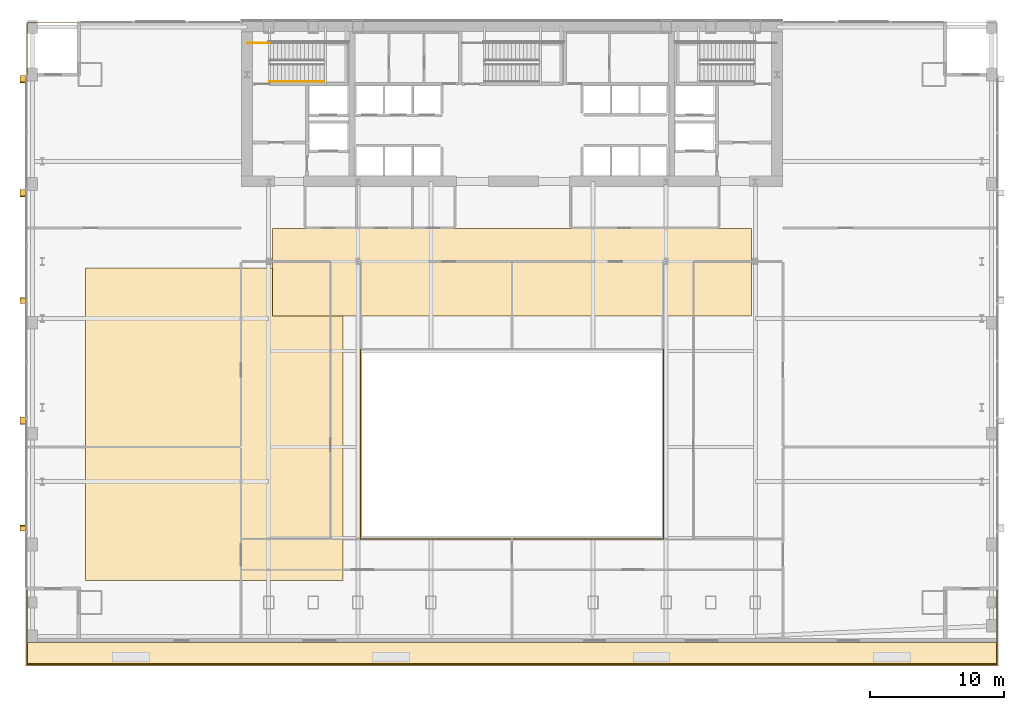
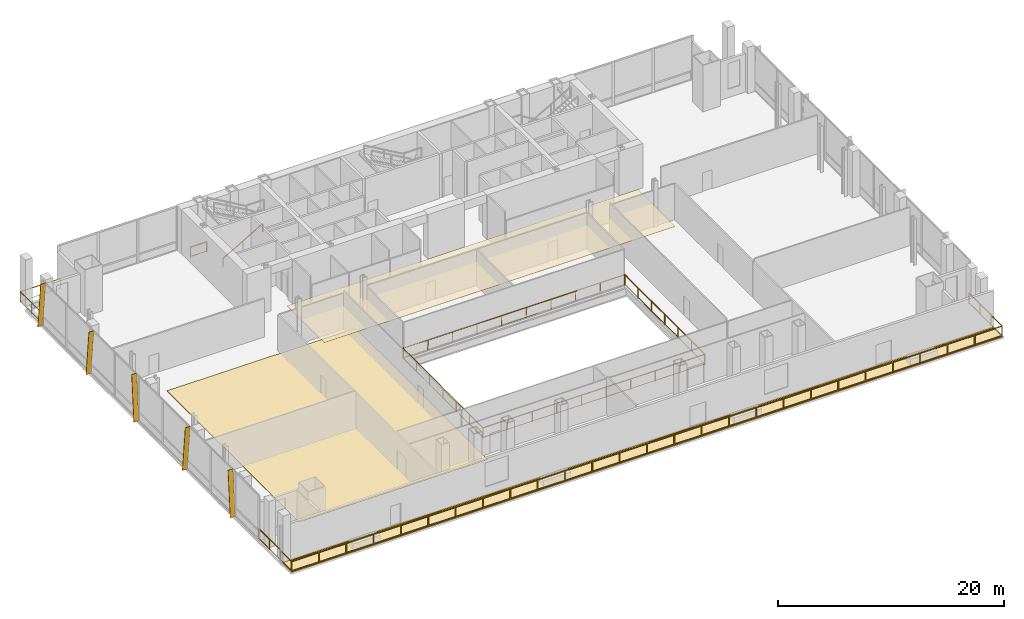
# One storey, part 23 of 25: 6 railings, 5 shading devices, 3 coverings.
"""IFC4 building model written with IfcOpenShell, lengths in metres."""

from ifc_helpers import new_model, si_unit, direction, frame, origin, origin_2d, place, context, subcontext, project, spatial, polyline, rectangle, outline, extrude, material, layer, layer_set, type_object, element, save


model = new_model("IFC4")

# Units and contexts
model_context = context("Model", 3, precision=1e-05, world=origin(), true_north=direction((0.0, 1.0)))
body_context = subcontext(model_context, "Body", "Model", "MODEL_VIEW")
ifc_project = project(units=[si_unit("LENGTHUNIT", "METRE"), si_unit("AREAUNIT", "SQUARE_METRE"), si_unit("VOLUMEUNIT", "CUBIC_METRE"), si_unit("PLANEANGLEUNIT", "RADIAN"), si_unit("MASSUNIT", "GRAM", prefix="KILO")], contexts=[model_context])

# Site, building, storey
site_placement = place(None, origin())
site = spatial("IfcSite", under=ifc_project, at=site_placement, CompositionType="ELEMENT")
building_placement = place(site_placement, origin())
building = spatial("IfcBuilding", under=site, at=building_placement, Name="Khoronbel Lancet Exchange", CompositionType="ELEMENT")
storey_placement = place(building_placement, frame((0.0, 0.0, 10.39990234375)))
storey = spatial("IfcBuildingStorey", under=building, at=storey_placement, Name="L02", CompositionType="ELEMENT", Elevation=10.39990234375)

# Coverings
ifc_material_1 = material(Name="Micro-Perforated Bronze Acoustic Metal Ceiling Tile", Category="aluminium")
ifc_layer_1 = layer(ifc_material_1, 0.0400390625, Name="Micro-Perforated Bronze Acoustic Metal Ceiling Tile")
ifc_layer_set_1 = layer_set([ifc_layer_1], Name="Micro-Perforated Bronze Acoustic Metal Ceiling Tile")
covering_type_1 = type_object("IfcCoveringType", Name="COV-CEIL1", PredefinedType="CEILING", material=ifc_layer_set_1)
covering_1_placement = place(storey_placement, frame((0.0, 0.0, 2.47998046875)))
element("IfcCovering", 1, at=covering_1_placement, inside=storey, type_object=covering_type_1, Name="Level L02 north gallery acoustic metal ceiling", PredefinedType="CEILING", context=body_context, shape_type="SweptSolid", body=[
    extrude(outline(polyline([(18.5, 31.60009765625), (54.39990234375, 31.60009765625), (54.39990234375, 38.179931640625), (18.5, 38.179931640625), (18.5, 31.60009765625)])), origin(), (0.0, 0.0, 1.0), 0.0400390625),
])
ifc_material_2 = material(Name="Honed Egyptian Galala Marble & Raised Access Floor Finish", Category="masonry")
ifc_layer_2 = layer(ifc_material_2, 0.030029296875, Name="Honed Egyptian Galala Marble & Raised Access Floor Finish")
ifc_layer_set_2 = layer_set([ifc_layer_2], Name="Honed Egyptian Galala Marble & Raised Access Floor Finish")
covering_type_2 = type_object("IfcCoveringType", Name="COV-FLR1", PredefinedType="FLOORING", material=ifc_layer_set_2)
covering_2_placement = place(storey_placement, origin())
element("IfcCovering", 2, at=covering_2_placement, inside=storey, type_object=covering_type_2, Name="Level L02 west clearing wing raised access floor finish", PredefinedType="FLOORING", context=body_context, shape_type="SweptSolid", body=[
    extrude(outline(polyline([(4.5, 11.800048828125), (23.800048828125, 11.800048828125), (23.800048828125, 35.199951171875), (4.5, 35.199951171875), (4.5, 11.800048828125)])), origin(), (0.0, 0.0, 1.0), 0.030029296875),
])
ifc_material_3 = material(Name="Standing-Seam Bronze & SBS Waterproofing Assembly", Category="aluminium")
ifc_layer_3 = layer(ifc_material_3, 0.080078125, Name="Standing-Seam Bronze & SBS Waterproofing Assembly")
ifc_layer_set_3 = layer_set([ifc_layer_3], Name="Standing-Seam Bronze & SBS Waterproofing Assembly")
covering_type_3 = type_object("IfcCoveringType", Name="COV-ROOF1", PredefinedType="ROOFING", material=ifc_layer_set_3)
covering_3_placement = place(storey_placement, frame((0.0, 0.0, -0.079833984375)))
element("IfcCovering", 3, at=covering_3_placement, inside=storey, type_object=covering_type_3, Name="Level L02 cascading terrace waterproofing and stone deck", PredefinedType="ROOFING", context=body_context, shape_type="SweptSolid", body=[
    extrude(outline(polyline([(0.10009765625, 5.449951171875), (72.800048828125, 5.449951171875), (72.800048828125, 7.14990234375), (0.10009765625, 7.14990234375), (0.10009765625, 5.449951171875)])), origin(), (0.0, 0.0, 1.0), 0.079833984375),
])

# Railings
ifc_material_4 = material(Name="Bronze-Anodised Stainless Steel", Category="steel")
railing_type_1 = type_object("IfcRailingType", Name="RL-EXT115", PredefinedType="GUARDRAIL", material=ifc_material_4)
railing_1_placement = place(storey_placement, frame((0.1201171875, 11.39990234375, 0.0)))
element("IfcRailing", 4, at=railing_1_placement, inside=storey, type_object=railing_type_1, Name="Level L02 cascading garden terrace and south corner loggia guardrail", PredefinedType="GUARDRAIL", context=body_context, shape_type="SweptSolid", body=[
    extrude(rectangle(XDim=0.052001953125, YDim=0.052001953125, at=origin_2d()), frame((0.0, 0.0, 1.1240234375), z_axis=(0.0, -1.0, 0.0), x_axis=(1.0, 0.0, 0.0)), (0.0, 0.0, 1.0), 5.8798828125),
    extrude(rectangle(XDim=0.02587890625, YDim=0.02587890625, at=origin_2d()), frame((0.0, 0.0, 0.080078125), z_axis=(0.0, -1.0, 0.0), x_axis=(1.0, 0.0, 0.0)), (0.0, 0.0, 1.0), 5.8798828125),
    extrude(rectangle(XDim=0.052001953125, YDim=0.052001953125, at=origin_2d()), frame((0.0, -5.8798828125, 1.1240234375), z_axis=(1.0, 0.0, 0.0), x_axis=(0.0, 1.0, 0.0)), (0.0, 0.0, 1.0), 72.659912109375),
    extrude(rectangle(XDim=0.02587890625, YDim=0.02587890625, at=origin_2d()), frame((0.0, -5.8798828125, 0.080078125), z_axis=(1.0, 0.0, 0.0), x_axis=(0.0, 1.0, 0.0)), (0.0, 0.0, 1.0), 72.659912109375),
    extrude(rectangle(XDim=0.052001953125, YDim=0.052001953125, at=origin_2d()), frame((72.659912109375, -5.8798828125, 1.1240234375), z_axis=(0.0, 1.0, 0.0), x_axis=(-1.0, 0.0, 0.0)), (0.0, 0.0, 1.0), 5.8798828125),
    extrude(rectangle(XDim=0.02587890625, YDim=0.02587890625, at=origin_2d()), frame((72.659912109375, -5.8798828125, 0.080078125), z_axis=(0.0, 1.0, 0.0), x_axis=(-1.0, 0.0, 0.0)), (0.0, 0.0, 1.0), 5.8798828125),
    extrude(rectangle(XDim=0.0419921875, YDim=0.0419921875, at=origin_2d()), origin(), (0.0, 0.0, 1.0), 1.097900390625),
    extrude(rectangle(XDim=0.0419921875, YDim=0.0419921875, at=origin_2d()), frame((0.0, -1.9599609375, 0.0)), (0.0, 0.0, 1.0), 1.097900390625),
    extrude(rectangle(XDim=0.0419921875, YDim=0.0419921875, at=origin_2d()), frame((0.0, -3.919921875, 0.0)), (0.0, 0.0, 1.0), 1.097900390625),
    extrude(rectangle(XDim=0.0419921875, YDim=0.0419921875, at=origin_2d()), frame((0.0, -5.8798828125, 0.0)), (0.0, 0.0, 1.0), 1.097900390625),
    extrude(rectangle(XDim=0.0419921875, YDim=0.0419921875, at=origin_2d()), frame((2.794677734375, -5.8798828125, 0.0)), (0.0, 0.0, 1.0), 1.097900390625),
    extrude(rectangle(XDim=0.0419921875, YDim=0.0419921875, at=origin_2d()), frame((5.589111328125, -5.8798828125, 0.0)), (0.0, 0.0, 1.0), 1.097900390625),
    extrude(rectangle(XDim=0.0419921875, YDim=0.0419921875, at=origin_2d()), frame((8.3837890625, -5.8798828125, 0.0)), (0.0, 0.0, 1.0), 1.097900390625),
    extrude(rectangle(XDim=0.0419921875, YDim=0.0419921875, at=origin_2d()), frame((11.178466796875, -5.8798828125, 0.0)), (0.0, 0.0, 1.0), 1.097900390625),
    extrude(rectangle(XDim=0.0419921875, YDim=0.0419921875, at=origin_2d()), frame((13.97314453125, -5.8798828125, 0.0)), (0.0, 0.0, 1.0), 1.097900390625),
    extrude(rectangle(XDim=0.0419921875, YDim=0.0419921875, at=origin_2d()), frame((16.767578125, -5.8798828125, 0.0)), (0.0, 0.0, 1.0), 1.097900390625),
    extrude(rectangle(XDim=0.0419921875, YDim=0.0419921875, at=origin_2d()), frame((19.562255859375, -5.8798828125, 0.0)), (0.0, 0.0, 1.0), 1.097900390625),
    extrude(rectangle(XDim=0.0419921875, YDim=0.0419921875, at=origin_2d()), frame((22.35693359375, -5.8798828125, 0.0)), (0.0, 0.0, 1.0), 1.097900390625),
    extrude(rectangle(XDim=0.0419921875, YDim=0.0419921875, at=origin_2d()), frame((25.151611328125, -5.8798828125, 0.0)), (0.0, 0.0, 1.0), 1.097900390625),
    extrude(rectangle(XDim=0.0419921875, YDim=0.0419921875, at=origin_2d()), frame((27.946044921875, -5.8798828125, 0.0)), (0.0, 0.0, 1.0), 1.097900390625),
    extrude(rectangle(XDim=0.0419921875, YDim=0.0419921875, at=origin_2d()), frame((30.74072265625, -5.8798828125, 0.0)), (0.0, 0.0, 1.0), 1.097900390625),
    extrude(rectangle(XDim=0.0419921875, YDim=0.0419921875, at=origin_2d()), frame((33.535400390625, -5.8798828125, 0.0)), (0.0, 0.0, 1.0), 1.097900390625),
    extrude(rectangle(XDim=0.0419921875, YDim=0.0419921875, at=origin_2d()), frame((36.330078125, -5.8798828125, 0.0)), (0.0, 0.0, 1.0), 1.097900390625),
    extrude(rectangle(XDim=0.0419921875, YDim=0.0419921875, at=origin_2d()), frame((39.12451171875, -5.8798828125, 0.0)), (0.0, 0.0, 1.0), 1.097900390625),
    extrude(rectangle(XDim=0.0419921875, YDim=0.0419921875, at=origin_2d()), frame((41.919189453125, -5.8798828125, 0.0)), (0.0, 0.0, 1.0), 1.097900390625),
    extrude(rectangle(XDim=0.0419921875, YDim=0.0419921875, at=origin_2d()), frame((44.7138671875, -5.8798828125, 0.0)), (0.0, 0.0, 1.0), 1.097900390625),
    extrude(rectangle(XDim=0.0419921875, YDim=0.0419921875, at=origin_2d()), frame((47.50830078125, -5.8798828125, 0.0)), (0.0, 0.0, 1.0), 1.097900390625),
    extrude(rectangle(XDim=0.0419921875, YDim=0.0419921875, at=origin_2d()), frame((50.302978515625, -5.8798828125, 0.0)), (0.0, 0.0, 1.0), 1.097900390625),
    extrude(rectangle(XDim=0.0419921875, YDim=0.0419921875, at=origin_2d()), frame((53.09765625, -5.8798828125, 0.0)), (0.0, 0.0, 1.0), 1.097900390625),
    extrude(rectangle(XDim=0.0419921875, YDim=0.0419921875, at=origin_2d()), frame((55.892333984375, -5.8798828125, 0.0)), (0.0, 0.0, 1.0), 1.097900390625),
    extrude(rectangle(XDim=0.0419921875, YDim=0.0419921875, at=origin_2d()), frame((58.686767578125, -5.8798828125, 0.0)), (0.0, 0.0, 1.0), 1.097900390625),
    extrude(rectangle(XDim=0.0419921875, YDim=0.0419921875, at=origin_2d()), frame((61.4814453125, -5.8798828125, 0.0)), (0.0, 0.0, 1.0), 1.097900390625),
    extrude(rectangle(XDim=0.0419921875, YDim=0.0419921875, at=origin_2d()), frame((64.276123046875, -5.8798828125, 0.0)), (0.0, 0.0, 1.0), 1.097900390625),
    extrude(rectangle(XDim=0.0419921875, YDim=0.0419921875, at=origin_2d()), frame((67.07080078125, -5.8798828125, 0.0)), (0.0, 0.0, 1.0), 1.097900390625),
    extrude(rectangle(XDim=0.0419921875, YDim=0.0419921875, at=origin_2d()), frame((69.865234375, -5.8798828125, 0.0)), (0.0, 0.0, 1.0), 1.097900390625),
    extrude(rectangle(XDim=0.0419921875, YDim=0.0419921875, at=origin_2d()), frame((72.659912109375, -5.8798828125, 0.0)), (0.0, 0.0, 1.0), 1.097900390625),
    extrude(rectangle(XDim=0.0419921875, YDim=0.0419921875, at=origin_2d()), frame((72.659912109375, -3.919921875, 0.0)), (0.0, 0.0, 1.0), 1.097900390625),
    extrude(rectangle(XDim=0.0419921875, YDim=0.0419921875, at=origin_2d()), frame((72.659912109375, -1.9599609375, 0.0)), (0.0, 0.0, 1.0), 1.097900390625),
    extrude(rectangle(XDim=0.0419921875, YDim=0.0419921875, at=origin_2d()), frame((72.659912109375, 0.0, 0.0)), (0.0, 0.0, 1.0), 1.097900390625),
])
railing_2_placement = place(storey_placement, frame((0.1201171875, 49.5, 0.0)))
element("IfcRailing", 5, at=railing_2_placement, inside=storey, type_object=railing_type_1, Name="Level L02 north-west colonnade corner loggia guardrail", PredefinedType="GUARDRAIL", context=body_context, shape_type="SweptSolid", body=[
    extrude(rectangle(XDim=0.052001953125, YDim=0.052001953125, at=origin_2d()), frame((0.0, 0.0, 1.1240234375), z_axis=(0.0, 1.0, 0.0), x_axis=(-1.0, 0.0, 0.0)), (0.0, 0.0, 1.0), 4.080078125),
    extrude(rectangle(XDim=0.02587890625, YDim=0.02587890625, at=origin_2d()), frame((0.0, 0.0, 0.080078125), z_axis=(0.0, 1.0, 0.0), x_axis=(-1.0, 0.0, 0.0)), (0.0, 0.0, 1.0), 4.080078125),
    extrude(rectangle(XDim=0.052001953125, YDim=0.052001953125, at=origin_2d()), frame((0.0, 4.080078125, 1.1240234375), z_axis=(1.0, 0.0, 0.0), x_axis=(0.0, 1.0, 0.0)), (0.0, 0.0, 1.0), 4.079833984375),
    extrude(rectangle(XDim=0.02587890625, YDim=0.02587890625, at=origin_2d()), frame((0.0, 4.080078125, 0.080078125), z_axis=(1.0, 0.0, 0.0), x_axis=(0.0, 1.0, 0.0)), (0.0, 0.0, 1.0), 4.079833984375),
    extrude(rectangle(XDim=0.0419921875, YDim=0.0419921875, at=origin_2d()), origin(), (0.0, 0.0, 1.0), 1.097900390625),
    extrude(rectangle(XDim=0.0419921875, YDim=0.0419921875, at=origin_2d()), frame((0.0, 2.0400390625, 0.0)), (0.0, 0.0, 1.0), 1.097900390625),
    extrude(rectangle(XDim=0.0419921875, YDim=0.0419921875, at=origin_2d()), frame((0.0, 4.080078125, 0.0)), (0.0, 0.0, 1.0), 1.097900390625),
    extrude(rectangle(XDim=0.0419921875, YDim=0.0419921875, at=origin_2d()), frame((2.0400390625, 4.080078125, 0.0)), (0.0, 0.0, 1.0), 1.097900390625),
    extrude(rectangle(XDim=0.0419921875, YDim=0.0419921875, at=origin_2d()), frame((4.079833984375, 4.080078125, 0.0)), (0.0, 0.0, 1.0), 1.097900390625),
])
ifc_material_5 = material(Name="Laminated Glass & Bronze Balustrade", Category="glass")
railing_type_2 = type_object("IfcRailingType", Name="RL-INT115", PredefinedType="BALUSTRADE", material=ifc_material_5)
railing_3_placement = place(storey_placement, frame((25.10009765625, 29.06005859375, 0.0)))
element("IfcRailing", 6, at=railing_3_placement, inside=storey, type_object=railing_type_2, Name="Level L02 gallery void safety balustrade SW", PredefinedType="BALUSTRADE", context=body_context, shape_type="SweptSolid", body=[
    extrude(rectangle(XDim=0.052001953125, YDim=0.052001953125, at=origin_2d()), frame((0.0, 0.0, 1.1240234375), z_axis=(0.0, -1.0, 0.0), x_axis=(1.0, 0.0, 0.0)), (0.0, 0.0, 1.0), 14.16015625),
    extrude(rectangle(XDim=0.02587890625, YDim=0.02587890625, at=origin_2d()), frame((0.0, 0.0, 0.080078125), z_axis=(0.0, -1.0, 0.0), x_axis=(1.0, 0.0, 0.0)), (0.0, 0.0, 1.0), 14.16015625),
    extrude(rectangle(XDim=0.052001953125, YDim=0.052001953125, at=origin_2d()), frame((0.0, -14.16015625, 1.1240234375), z_axis=(1.0, 0.0, 0.0), x_axis=(0.0, 1.0, 0.0)), (0.0, 0.0, 1.0), 22.659912109375),
    extrude(rectangle(XDim=0.02587890625, YDim=0.02587890625, at=origin_2d()), frame((0.0, -14.16015625, 0.080078125), z_axis=(1.0, 0.0, 0.0), x_axis=(0.0, 1.0, 0.0)), (0.0, 0.0, 1.0), 22.659912109375),
    extrude(rectangle(XDim=0.0419921875, YDim=0.0419921875, at=origin_2d()), origin(), (0.0, 0.0, 1.0), 1.097900390625),
    extrude(rectangle(XDim=0.0419921875, YDim=0.0419921875, at=origin_2d()), frame((0.0, -2.360107421875, 0.0)), (0.0, 0.0, 1.0), 1.097900390625),
    extrude(rectangle(XDim=0.0419921875, YDim=0.0419921875, at=origin_2d()), frame((0.0, -4.719970703125, 0.0)), (0.0, 0.0, 1.0), 1.097900390625),
    extrude(rectangle(XDim=0.0419921875, YDim=0.0419921875, at=origin_2d()), frame((0.0, -7.080078125, 0.0)), (0.0, 0.0, 1.0), 1.097900390625),
    extrude(rectangle(XDim=0.0419921875, YDim=0.0419921875, at=origin_2d()), frame((0.0, -9.440185546875, 0.0)), (0.0, 0.0, 1.0), 1.097900390625),
    extrude(rectangle(XDim=0.0419921875, YDim=0.0419921875, at=origin_2d()), frame((0.0, -11.800048828125, 0.0)), (0.0, 0.0, 1.0), 1.097900390625),
    extrude(rectangle(XDim=0.0419921875, YDim=0.0419921875, at=origin_2d()), frame((0.0, -14.16015625, 0.0)), (0.0, 0.0, 1.0), 1.097900390625),
    extrude(rectangle(XDim=0.0419921875, YDim=0.0419921875, at=origin_2d()), frame((2.517822265625, -14.16015625, 0.0)), (0.0, 0.0, 1.0), 1.097900390625),
    extrude(rectangle(XDim=0.0419921875, YDim=0.0419921875, at=origin_2d()), frame((5.03564453125, -14.16015625, 0.0)), (0.0, 0.0, 1.0), 1.097900390625),
    extrude(rectangle(XDim=0.0419921875, YDim=0.0419921875, at=origin_2d()), frame((7.55322265625, -14.16015625, 0.0)), (0.0, 0.0, 1.0), 1.097900390625),
    extrude(rectangle(XDim=0.0419921875, YDim=0.0419921875, at=origin_2d()), frame((10.071044921875, -14.16015625, 0.0)), (0.0, 0.0, 1.0), 1.097900390625),
    extrude(rectangle(XDim=0.0419921875, YDim=0.0419921875, at=origin_2d()), frame((12.5888671875, -14.16015625, 0.0)), (0.0, 0.0, 1.0), 1.097900390625),
    extrude(rectangle(XDim=0.0419921875, YDim=0.0419921875, at=origin_2d()), frame((15.106689453125, -14.16015625, 0.0)), (0.0, 0.0, 1.0), 1.097900390625),
    extrude(rectangle(XDim=0.0419921875, YDim=0.0419921875, at=origin_2d()), frame((17.624267578125, -14.16015625, 0.0)), (0.0, 0.0, 1.0), 1.097900390625),
    extrude(rectangle(XDim=0.0419921875, YDim=0.0419921875, at=origin_2d()), frame((20.14208984375, -14.16015625, 0.0)), (0.0, 0.0, 1.0), 1.097900390625),
    extrude(rectangle(XDim=0.0419921875, YDim=0.0419921875, at=origin_2d()), frame((22.659912109375, -14.16015625, 0.0)), (0.0, 0.0, 1.0), 1.097900390625),
])
railing_4_placement = place(storey_placement, frame((25.139892578125, 29.10009765625, 0.0)))
element("IfcRailing", 7, at=railing_4_placement, inside=storey, type_object=railing_type_2, Name="Level L02 gallery void safety balustrade NE", PredefinedType="BALUSTRADE", context=body_context, shape_type="SweptSolid", body=[
    extrude(rectangle(XDim=0.052001953125, YDim=0.052001953125, at=origin_2d()), frame((0.0, 0.0, 1.1240234375), z_axis=(1.0, 0.0, 0.0), x_axis=(0.0, 1.0, 0.0)), (0.0, 0.0, 1.0), 22.66015625),
    extrude(rectangle(XDim=0.02587890625, YDim=0.02587890625, at=origin_2d()), frame((0.0, 0.0, 0.080078125), z_axis=(1.0, 0.0, 0.0), x_axis=(0.0, 1.0, 0.0)), (0.0, 0.0, 1.0), 22.66015625),
    extrude(rectangle(XDim=0.052001953125, YDim=0.052001953125, at=origin_2d()), frame((22.66015625, 0.0, 1.1240234375), z_axis=(0.0, -1.0, 0.0), x_axis=(1.0, 0.0, 0.0)), (0.0, 0.0, 1.0), 14.16015625),
    extrude(rectangle(XDim=0.02587890625, YDim=0.02587890625, at=origin_2d()), frame((22.66015625, 0.0, 0.080078125), z_axis=(0.0, -1.0, 0.0), x_axis=(1.0, 0.0, 0.0)), (0.0, 0.0, 1.0), 14.16015625),
    extrude(rectangle(XDim=0.0419921875, YDim=0.0419921875, at=origin_2d()), origin(), (0.0, 0.0, 1.0), 1.097900390625),
    extrude(rectangle(XDim=0.0419921875, YDim=0.0419921875, at=origin_2d()), frame((2.517822265625, 0.0, 0.0)), (0.0, 0.0, 1.0), 1.097900390625),
    extrude(rectangle(XDim=0.0419921875, YDim=0.0419921875, at=origin_2d()), frame((5.03564453125, 0.0, 0.0)), (0.0, 0.0, 1.0), 1.097900390625),
    extrude(rectangle(XDim=0.0419921875, YDim=0.0419921875, at=origin_2d()), frame((7.553466796875, 0.0, 0.0)), (0.0, 0.0, 1.0), 1.097900390625),
    extrude(rectangle(XDim=0.0419921875, YDim=0.0419921875, at=origin_2d()), frame((10.0712890625, 0.0, 0.0)), (0.0, 0.0, 1.0), 1.097900390625),
    extrude(rectangle(XDim=0.0419921875, YDim=0.0419921875, at=origin_2d()), frame((12.5888671875, 0.0, 0.0)), (0.0, 0.0, 1.0), 1.097900390625),
    extrude(rectangle(XDim=0.0419921875, YDim=0.0419921875, at=origin_2d()), frame((15.106689453125, 0.0, 0.0)), (0.0, 0.0, 1.0), 1.097900390625),
    extrude(rectangle(XDim=0.0419921875, YDim=0.0419921875, at=origin_2d()), frame((17.62451171875, 0.0, 0.0)), (0.0, 0.0, 1.0), 1.097900390625),
    extrude(rectangle(XDim=0.0419921875, YDim=0.0419921875, at=origin_2d()), frame((20.142333984375, 0.0, 0.0)), (0.0, 0.0, 1.0), 1.097900390625),
    extrude(rectangle(XDim=0.0419921875, YDim=0.0419921875, at=origin_2d()), frame((22.66015625, 0.0, 0.0)), (0.0, 0.0, 1.0), 1.097900390625),
    extrude(rectangle(XDim=0.0419921875, YDim=0.0419921875, at=origin_2d()), frame((22.66015625, -2.360107421875, 0.0)), (0.0, 0.0, 1.0), 1.097900390625),
    extrude(rectangle(XDim=0.0419921875, YDim=0.0419921875, at=origin_2d()), frame((22.66015625, -4.719970703125, 0.0)), (0.0, 0.0, 1.0), 1.097900390625),
    extrude(rectangle(XDim=0.0419921875, YDim=0.0419921875, at=origin_2d()), frame((22.66015625, -7.080078125, 0.0)), (0.0, 0.0, 1.0), 1.097900390625),
    extrude(rectangle(XDim=0.0419921875, YDim=0.0419921875, at=origin_2d()), frame((22.66015625, -9.440185546875, 0.0)), (0.0, 0.0, 1.0), 1.097900390625),
    extrude(rectangle(XDim=0.0419921875, YDim=0.0419921875, at=origin_2d()), frame((22.66015625, -11.800048828125, 0.0)), (0.0, 0.0, 1.0), 1.097900390625),
    extrude(rectangle(XDim=0.0419921875, YDim=0.0419921875, at=origin_2d()), frame((22.66015625, -14.16015625, 0.0)), (0.0, 0.0, 1.0), 1.097900390625),
])
ifc_material_6 = material(Name="Painted Steel Balustrade", Category="steel")
railing_type_3 = type_object("IfcRailingType", Name="RL-STG110", PredefinedType="GUARDRAIL", material=ifc_material_6)
railing_5_placement = place(storey_placement, frame((16.64990234375, 52.050048828125, 0.0)))
element("IfcRailing", 8, at=railing_5_placement, inside=storey, type_object=railing_type_3, Name="L02 ST1 stair guard 6", PredefinedType="GUARDRAIL", context=body_context, shape_type="SweptSolid", body=[
    extrude(rectangle(XDim=0.048095703125, YDim=0.048095703125, at=origin_2d()), frame((0.0, 0.0, 1.09619140625), z_axis=(1.0, 0.0, 0.0), x_axis=(0.0, 1.0, 0.0)), (0.0, 0.0, 1.0), 1.650146484375),
    extrude(rectangle(XDim=0.02392578125, YDim=0.02392578125, at=origin_2d()), frame((0.0, 0.0, 0.080078125), z_axis=(1.0, 0.0, 0.0), x_axis=(0.0, 1.0, 0.0)), (0.0, 0.0, 1.0), 1.650146484375),
    extrude(rectangle(XDim=0.0419921875, YDim=0.0419921875, at=origin_2d()), origin(), (0.0, 0.0, 1.0), 1.072021484375),
    extrude(rectangle(XDim=0.0419921875, YDim=0.0419921875, at=origin_2d()), frame((1.650146484375, 0.0, 0.0)), (0.0, 0.0, 1.0), 1.072021484375),
])
ifc_material_7 = material(Name="Brushed Stainless Steel 316", Category="steel")
railing_type_4 = type_object("IfcRailingType", Name="RL-STH92", PredefinedType="HANDRAIL", material=ifc_material_7)
railing_6_placement = place(storey_placement, frame((18.300048828125, 49.169921875, 0.166748046875)))
element("IfcRailing", 9, at=railing_6_placement, inside=storey, type_object=railing_type_4, Name="L02 ST1 stair handrail 1", PredefinedType="HANDRAIL", context=body_context, shape_type="SweptSolid", body=[
    extrude(rectangle(XDim=0.048095703125, YDim=0.048095703125, at=origin_2d()), frame((0.0, 0.0, 0.8759765625), z_axis=(0.867024558463, 0.0, 0.498265406207), x_axis=(0.0, 1.0, 0.0)), (0.0, 0.0, 1.0), 4.682861328125),
    extrude(rectangle(XDim=0.0419921875, YDim=0.0419921875, at=origin_2d()), origin(), (0.0, 0.0, 1.0), 0.851806640625),
    extrude(rectangle(XDim=0.0419921875, YDim=0.0419921875, at=origin_2d()), frame((2.030029296875, 0.0, 1.16650390625)), (0.0, 0.0, 1.0), 0.851806640625),
    extrude(rectangle(XDim=0.0419921875, YDim=0.0419921875, at=origin_2d()), frame((4.06005859375, 0.0, 2.333251953125)), (0.0, 0.0, 1.0), 0.851806640625),
])

# Shading devices
ifc_material_8 = material(Name="Bronze-Anodised Aluminium 6063-T6", Category="aluminium")
ifc_layer_4 = layer(ifc_material_8, 0.054931640625, Name="Bronze-Anodised Aluminium 6063-T6")
ifc_layer_set_4 = layer_set([ifc_layer_4], Name="Bronze-Anodised Aluminium 6063-T6")
shading_device_type = type_object("IfcShadingDeviceType", Name="SHD-FIN1", PredefinedType="USERDEFINED", material=ifc_layer_set_4)
for number, where, z_axis, x_axis, name in (
    (10, (0.1201171875, 49.62744140625, -0.079833984375), (0.0, 0.994775784516, 0.102083977887), (-1.0, 0.0, 0.0), "Slanted bronze solar fin CW-L02-WEST-0"),
    (11, (0.1201171875, 41.09423828125, -0.079833984375), (0.0, 0.994770770432, 0.102132826718), (-1.0, 0.0, 0.0), "Slanted bronze solar fin CW-L02-WEST-2"),
):
    element("IfcShadingDevice", number, at=place(storey_placement, frame(where, z_axis=z_axis, x_axis=x_axis)), inside=storey, type_object=shading_device_type, Name=name, ObjectType="FIN", PredefinedType="USERDEFINED", context=body_context, shape_type="SweptSolid", body=[
        extrude(outline(polyline([(0.0, 0.0), (0.52001953125, 0.0), (0.52001953125, 4.94580078125), (0.0, 4.94580078125), (0.0, 0.0)])), origin(), (0.0, 0.0, -1.0), 0.054931640625),
    ])
shading_device_1_placement = place(storey_placement, frame((0.1201171875, 32.560791015625, -0.079833984375), z_axis=(0.0, -0.996792274735, 0.080032249927), x_axis=(-1.0, 0.0, 0.0)))
element("IfcShadingDevice", 12, at=shading_device_1_placement, inside=storey, type_object=shading_device_type, Name="Slanted bronze solar fin CW-L02-WEST-4", ObjectType="FIN", PredefinedType="USERDEFINED", context=body_context, shape_type="SweptSolid", body=[
    extrude(outline(polyline([(0.0, 0.0), (0.52001953125, 0.0), (0.52001953125, -4.935791015625), (0.0, -4.935791015625), (0.0, 0.0)])), origin(), (0.0, 0.0, -1.0), 0.054931640625),
])
shading_device_2_placement = place(storey_placement, frame((0.1201171875, 24.027587890625, -0.079833984375), z_axis=(0.0, 0.994770770432, 0.102132826718), x_axis=(-1.0, 0.0, 0.0)))
element("IfcShadingDevice", 13, at=shading_device_2_placement, inside=storey, type_object=shading_device_type, Name="Slanted bronze solar fin CW-L02-WEST-6", ObjectType="FIN", PredefinedType="USERDEFINED", context=body_context, shape_type="SweptSolid", body=[
    extrude(outline(polyline([(0.0, 0.0), (0.52001953125, 0.0), (0.52001953125, 4.94580078125), (0.0, 4.94580078125), (0.0, 0.0)])), origin(), (0.0, 0.0, -1.0), 0.054931640625),
])
shading_device_3_placement = place(storey_placement, frame((0.1201171875, 15.494140625, -0.079833984375), z_axis=(0.0, -0.996792274735, 0.080032249927), x_axis=(-1.0, 0.0, 0.0)))
element("IfcShadingDevice", 14, at=shading_device_3_placement, inside=storey, type_object=shading_device_type, Name="Slanted bronze solar fin CW-L02-WEST-8", ObjectType="FIN", PredefinedType="USERDEFINED", context=body_context, shape_type="SweptSolid", body=[
    extrude(outline(polyline([(0.0, 0.0), (0.52001953125, 0.0), (0.52001953125, -4.935791015625), (0.0, -4.935791015625), (0.0, 0.0)])), origin(), (0.0, 0.0, -1.0), 0.054931640625),
])

save(model, "model.ifc")
